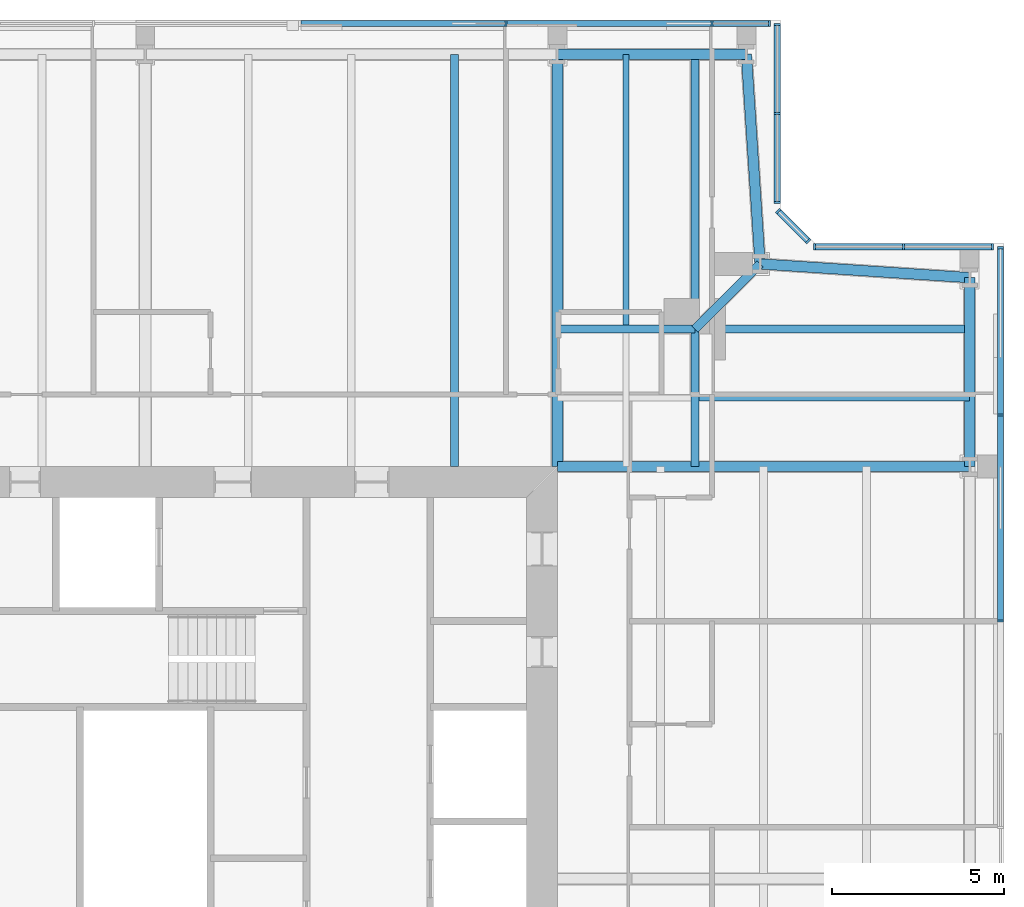
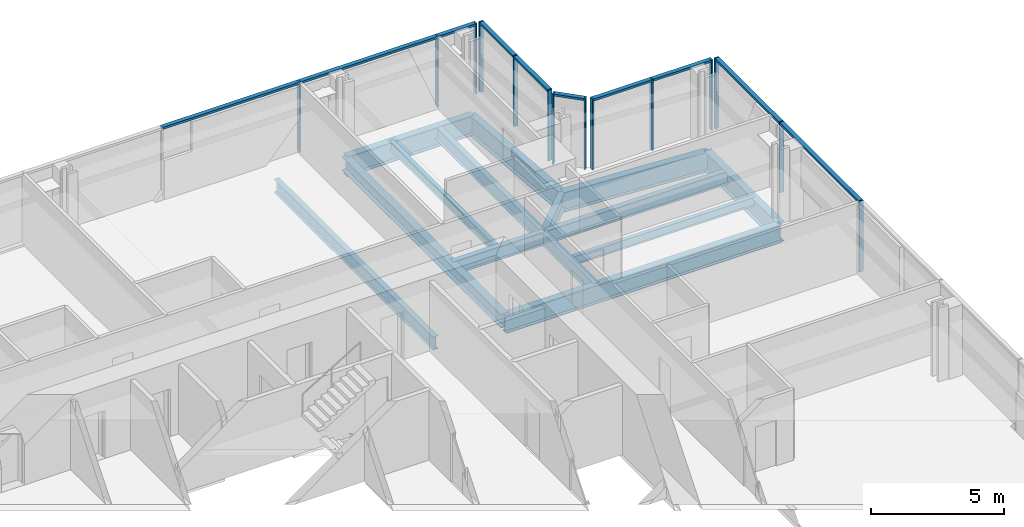
# One storey, part 9 of 18: 24 members, 14 beams, 5 elements without a shape of their own.
"""IFC4 building model written with IfcOpenShell, lengths in metres."""

from ifc_helpers import new_model, si_unit, direction, frame, origin, origin_2d, place, context, subcontext, project, spatial, rectangle, i_section, extrude, material, material_profile, profile_set, type_object, element, aggregate, save


model = new_model("IFC4")

# Units and contexts
model_context = context("Model", 3, precision=1e-05, world=origin(), true_north=direction((0.0, 1.0)))
body_context = subcontext(model_context, "Body", "Model", "MODEL_VIEW")
ifc_project = project(units=[si_unit("LENGTHUNIT", "METRE"), si_unit("AREAUNIT", "SQUARE_METRE"), si_unit("VOLUMEUNIT", "CUBIC_METRE"), si_unit("PLANEANGLEUNIT", "RADIAN"), si_unit("MASSUNIT", "GRAM", prefix="KILO")], contexts=[model_context])

# Site, building, storey
site_placement = place(None, origin())
site = spatial("IfcSite", under=ifc_project, at=site_placement, CompositionType="ELEMENT")
building_placement = place(site_placement, origin())
building = spatial("IfcBuilding", under=site, at=building_placement, Name="Fenwick Lantern Interchange", CompositionType="ELEMENT")
storey_placement = place(building_placement, frame((0.0, 0.0, 262.800048828125)))
storey = spatial("IfcBuildingStorey", under=building, at=storey_placement, Name="L62", CompositionType="ELEMENT", Elevation=262.800048828125)

# Beams
ifc_material_1 = material(Name="Steel ASTM A992 Grade 50", Category="steel")
ifc_material_profile_1 = material_profile(ifc_material_1, i_section(OverallWidth=0.3046875, OverallDepth=0.911865234375, WebThickness=0.015869140625, FlangeThickness=0.02392578125, at=origin_2d()), Name="W36X150")
ifc_profile_set_1 = profile_set([ifc_material_profile_1], Name="Steel ASTM A992 Grade 50")
beam_type_1 = type_object("IfcBeamType", Name="EDGE BEAM W36X150", PredefinedType="SPANDREL", material=ifc_profile_set_1)
beam_1_placement = place(storey_placement, frame((49.0, 37.0, -0.60595703125), z_axis=(0.0, 1.0, 0.0), x_axis=(-1.0, 0.0, 0.0)))
element("IfcBeam", 1, at=beam_1_placement, inside=storey, type_object=beam_type_1, Name="L62/FR/E/EB4", PredefinedType="SPANDREL", context=body_context, shape_type="SweptSolid", body=[
    extrude(i_section(OverallWidth=0.3046875, OverallDepth=0.911865234375, WebThickness=0.015869140625, FlangeThickness=0.02392578125, at=origin_2d()), origin(), (0.0, 0.0, 1.0), 5.5),
])
for number, where, z_axis, x_axis, name in (
    (2, (49.0, 42.5, -0.60595703125), (-0.997858060337, 0.065416293237, 0.0), (-0.065416293237, -0.997858060337, 0.0), "L62/FR/E/EBR1"),
    (3, (42.89990234375, 42.89990234375, -0.60595703125), (-0.065416293237, 0.997858060337, 0.0), (-0.997858060337, -0.065416293237, 0.0), "L62/FR/E/EBR2"),
):
    element("IfcBeam", number, at=place(storey_placement, frame(where, z_axis=z_axis, x_axis=x_axis)), inside=storey, type_object=beam_type_1, Name=name, PredefinedType="SPANDREL", context=body_context, shape_type="SweptSolid", body=[
        extrude(i_section(OverallWidth=0.3046875, OverallDepth=0.911865234375, WebThickness=0.015869140625, FlangeThickness=0.02392578125, at=origin_2d()), origin(), (0.0, 0.0, 1.0), 6.11328125),
    ])
beam_2_placement = place(storey_placement, frame((42.5, 49.0, -0.60595703125), z_axis=(-1.0, 0.0, 0.0), x_axis=(0.0, -1.0, 0.0)))
element("IfcBeam", 4, at=beam_2_placement, inside=storey, type_object=beam_type_1, Name="L62/FR/N/EB1", PredefinedType="SPANDREL", context=body_context, shape_type="SweptSolid", body=[
    extrude(i_section(OverallWidth=0.3046875, OverallDepth=0.911865234375, WebThickness=0.015869140625, FlangeThickness=0.02392578125, at=origin_2d()), origin(), (0.0, 0.0, 1.0), 5.5),
])
ifc_material_profile_2 = material_profile(ifc_material_1, i_section(OverallWidth=0.22900390625, OverallDepth=0.612060546875, WebThickness=0.011962890625, FlangeThickness=0.01953125, at=origin_2d()), Name="W24X84")
ifc_profile_set_2 = profile_set([ifc_material_profile_2], Name="Steel ASTM A992 Grade 50")
beam_type_2 = type_object("IfcBeamType", Name="FLOOR BEAM W24X84", PredefinedType="BEAM", material=ifc_profile_set_2)
beam_3_placement = place(storey_placement, frame((34.0, 49.0, -0.4560546875), z_axis=(0.0, -1.0, 0.0), x_axis=(1.0, 0.0, 0.0)))
element("IfcBeam", 5, at=beam_3_placement, inside=storey, type_object=beam_type_2, Name="L62/FR/N/R02", PredefinedType="BEAM", context=body_context, shape_type="SweptSolid", body=[
    extrude(i_section(OverallWidth=0.22900390625, OverallDepth=0.612060546875, WebThickness=0.011962890625, FlangeThickness=0.01953125, at=origin_2d()), origin(), (0.0, 0.0, 1.0), 12.0),
])

# Curtain wall, members
ifc_material_2 = material(Name="Aluminium curtain wall frame", Category="aluminium")
curtain_wall_type = type_object("IfcCurtainWallType", Name="HOTEL CURTAIN WALL", PredefinedType="USERDEFINED", material=ifc_material_2)
curtain_wall_1_placement = place(storey_placement, origin())
curtain_wall_1 = element("IfcCurtainWall", 6, at=curtain_wall_1_placement, inside=storey, type_object=curtain_wall_type, Name="Hotel curtain wall 05", ObjectType="HOTEL CURTAIN WALL", PredefinedType="USERDEFINED")
ifc_material_3 = material(Name="Aluminium extrusion", Category="aluminium")
ifc_material_profile_3 = material_profile(ifc_material_3, rectangle(XDim=0.179931640625, YDim=0.06005859375, at=origin_2d()), Name="HOTEL CURTAIN WALL MULLION 60 X 180")
ifc_profile_set_3 = profile_set([ifc_material_profile_3], Name="Aluminium extrusion")
member_type_1 = type_object("IfcMemberType", Name="HOTEL CURTAIN WALL MULLION 60 X 180", PredefinedType="MULLION", material=ifc_profile_set_3)
member_1_placement = place(storey_placement, frame((49.89990234375, 32.5, 0.0), z_axis=(0.0, 0.0, 1.0), x_axis=(-1.0, 0.0, 0.0)))
member_1 = element("IfcMember", 7, at=member_1_placement, type_object=member_type_1, Name="L62/CW/05/M05", PredefinedType="MULLION", context=body_context, shape_type="SweptSolid", body=[
    extrude(rectangle(XDim=0.179931640625, YDim=0.06005859375, at=origin_2d()), origin(), (0.0, 0.0, 1.0), 3.25),
])
member_2_placement = place(storey_placement, frame((49.89990234375, 38.5, 0.0), z_axis=(0.0, 0.0, 1.0), x_axis=(-1.0, 0.0, 0.0)))
member_2 = element("IfcMember", 8, at=member_2_placement, type_object=member_type_1, Name="L62/CW/05/M06", PredefinedType="MULLION", context=body_context, shape_type="SweptSolid", body=[
    extrude(rectangle(XDim=0.179931640625, YDim=0.06005859375, at=origin_2d()), origin(), (0.0, 0.0, 1.0), 3.25),
])
member_3_placement = place(storey_placement, frame((49.89990234375, 43.3701171875, 0.0), z_axis=(0.0, 0.0, 1.0), x_axis=(-1.0, 0.0, 0.0)))
member_3 = element("IfcMember", 9, at=member_3_placement, type_object=member_type_1, Name="L62/CW/05/M07", PredefinedType="MULLION", context=body_context, shape_type="SweptSolid", body=[
    extrude(rectangle(XDim=0.179931640625, YDim=0.06005859375, at=origin_2d()), origin(), (0.0, 0.0, 1.0), 3.25),
])

curtain_wall_2_placement = place(storey_placement, origin())
curtain_wall_2 = element("IfcCurtainWall", 10, at=curtain_wall_2_placement, inside=storey, type_object=curtain_wall_type, Name="Hotel curtain wall 06", ObjectType="HOTEL CURTAIN WALL", PredefinedType="USERDEFINED")
member_4_placement = place(storey_placement, frame((49.669921875, 43.39990234375, 0.0), z_axis=(0.0, 0.0, 1.0), x_axis=(0.0, -1.0, 0.0)))
member_4 = element("IfcMember", 11, at=member_4_placement, type_object=member_type_1, Name="L62/CW/06/M00", PredefinedType="MULLION", context=body_context, shape_type="SweptSolid", body=[
    extrude(rectangle(XDim=0.179931640625, YDim=0.06005859375, at=origin_2d()), origin(), (0.0, 0.0, 1.0), 3.25),
])
member_5_placement = place(storey_placement, frame((47.079345703125, 43.39990234375, 0.0), z_axis=(0.0, 0.0, 1.0), x_axis=(0.0, -1.0, 0.0)))
member_5 = element("IfcMember", 12, at=member_5_placement, type_object=member_type_1, Name="L62/CW/06/M01", PredefinedType="MULLION", context=body_context, shape_type="SweptSolid", body=[
    extrude(rectangle(XDim=0.179931640625, YDim=0.06005859375, at=origin_2d()), origin(), (0.0, 0.0, 1.0), 3.25),
])
member_6_placement = place(storey_placement, frame((44.488525390625, 43.39990234375, 0.0), z_axis=(0.0, 0.0, 1.0), x_axis=(0.0, -1.0, 0.0)))
member_6 = element("IfcMember", 13, at=member_6_placement, type_object=member_type_1, Name="L62/CW/06/M02", PredefinedType="MULLION", context=body_context, shape_type="SweptSolid", body=[
    extrude(rectangle(XDim=0.179931640625, YDim=0.06005859375, at=origin_2d()), origin(), (0.0, 0.0, 1.0), 3.25),
])

curtain_wall_3_placement = place(storey_placement, origin())
curtain_wall_3 = element("IfcCurtainWall", 14, at=curtain_wall_3_placement, inside=storey, type_object=curtain_wall_type, Name="Hotel curtain wall 07", ObjectType="HOTEL CURTAIN WALL", PredefinedType="USERDEFINED")
member_7_placement = place(storey_placement, frame((44.2958984375, 43.562744140625, 0.0), z_axis=(0.0, 0.0, 1.0), x_axis=(-0.707106781187, -0.707106781187, 0.0)))
member_7 = element("IfcMember", 15, at=member_7_placement, type_object=member_type_1, Name="L62/CW/07/M00", PredefinedType="MULLION", context=body_context, shape_type="SweptSolid", body=[
    extrude(rectangle(XDim=0.179931640625, YDim=0.06005859375, at=origin_2d()), origin(), (0.0, 0.0, 1.0), 3.25),
])
member_8_placement = place(storey_placement, frame((43.421142578125, 44.437255859375, 0.0), z_axis=(0.0, 0.0, 1.0), x_axis=(-0.707106781187, -0.707106781187, 0.0)))
member_8 = element("IfcMember", 16, at=member_8_placement, type_object=member_type_1, Name="L62/CW/07/M01", PredefinedType="MULLION", context=body_context, shape_type="SweptSolid", body=[
    extrude(rectangle(XDim=0.179931640625, YDim=0.06005859375, at=origin_2d()), origin(), (0.0, 0.0, 1.0), 3.25),
])

curtain_wall_4_placement = place(storey_placement, origin())
curtain_wall_4 = element("IfcCurtainWall", 17, at=curtain_wall_4_placement, inside=storey, type_object=curtain_wall_type, Name="Hotel curtain wall 08", ObjectType="HOTEL CURTAIN WALL", PredefinedType="USERDEFINED")
member_9_placement = place(storey_placement, frame((43.39990234375, 44.6884765625, 0.0), z_axis=(0.0, 0.0, 1.0), x_axis=(-1.0, 0.0, 0.0)))
member_9 = element("IfcMember", 18, at=member_9_placement, type_object=member_type_1, Name="L62/CW/08/M00", PredefinedType="MULLION", context=body_context, shape_type="SweptSolid", body=[
    extrude(rectangle(XDim=0.179931640625, YDim=0.06005859375, at=origin_2d()), origin(), (0.0, 0.0, 1.0), 3.25),
])
member_10_placement = place(storey_placement, frame((43.39990234375, 47.279296875, 0.0), z_axis=(0.0, 0.0, 1.0), x_axis=(-1.0, 0.0, 0.0)))
member_10 = element("IfcMember", 19, at=member_10_placement, type_object=member_type_1, Name="L62/CW/08/M01", PredefinedType="MULLION", context=body_context, shape_type="SweptSolid", body=[
    extrude(rectangle(XDim=0.179931640625, YDim=0.06005859375, at=origin_2d()), origin(), (0.0, 0.0, 1.0), 3.25),
])
member_11_placement = place(storey_placement, frame((43.39990234375, 49.8701171875, 0.0), z_axis=(0.0, 0.0, 1.0), x_axis=(-1.0, 0.0, 0.0)))
member_11 = element("IfcMember", 20, at=member_11_placement, type_object=member_type_1, Name="L62/CW/08/M02", PredefinedType="MULLION", context=body_context, shape_type="SweptSolid", body=[
    extrude(rectangle(XDim=0.179931640625, YDim=0.06005859375, at=origin_2d()), origin(), (0.0, 0.0, 1.0), 3.25),
])

curtain_wall_5_placement = place(storey_placement, origin())
curtain_wall_5 = element("IfcCurtainWall", 21, at=curtain_wall_5_placement, inside=storey, type_object=curtain_wall_type, Name="Hotel curtain wall 09", ObjectType="HOTEL CURTAIN WALL", PredefinedType="USERDEFINED")
member_12_placement = place(storey_placement, frame((43.169921875, 49.89990234375, 0.0), z_axis=(0.0, 0.0, 1.0), x_axis=(0.0, -1.0, 0.0)))
member_12 = element("IfcMember", 22, at=member_12_placement, type_object=member_type_1, Name="L62/CW/09/M00", PredefinedType="MULLION", context=body_context, shape_type="SweptSolid", body=[
    extrude(rectangle(XDim=0.179931640625, YDim=0.06005859375, at=origin_2d()), origin(), (0.0, 0.0, 1.0), 3.25),
])
member_13_placement = place(storey_placement, frame((41.5, 49.89990234375, 0.0), z_axis=(0.0, 0.0, 1.0), x_axis=(0.0, -1.0, 0.0)))
member_13 = element("IfcMember", 23, at=member_13_placement, type_object=member_type_1, Name="L62/CW/09/M01", PredefinedType="MULLION", context=body_context, shape_type="SweptSolid", body=[
    extrude(rectangle(XDim=0.179931640625, YDim=0.06005859375, at=origin_2d()), origin(), (0.0, 0.0, 1.0), 3.25),
])
member_14_placement = place(storey_placement, frame((35.5, 49.89990234375, 0.0), z_axis=(0.0, 0.0, 1.0), x_axis=(0.0, -1.0, 0.0)))
member_14 = element("IfcMember", 24, at=member_14_placement, type_object=member_type_1, Name="L62/CW/09/M02", PredefinedType="MULLION", context=body_context, shape_type="SweptSolid", body=[
    extrude(rectangle(XDim=0.179931640625, YDim=0.06005859375, at=origin_2d()), origin(), (0.0, 0.0, 1.0), 3.25),
])

# Member
ifc_material_profile_4 = material_profile(ifc_material_3, rectangle(XDim=0.179931640625, YDim=0.10009765625, at=origin_2d()), Name="HOTEL CURTAIN WALL TRANSOM 100 X 180")
ifc_profile_set_4 = profile_set([ifc_material_profile_4], Name="Aluminium extrusion")
member_type_2 = type_object("IfcMemberType", Name="HOTEL CURTAIN WALL TRANSOM 100 X 180", PredefinedType="MULLION", material=ifc_profile_set_4)
member_15_placement = place(storey_placement, frame((49.89990234375, 32.530029296875, 3.199951171875), z_axis=(0.0, 1.0, 0.0), x_axis=(-1.0, 0.0, 0.0)))
member_15 = element("IfcMember", 25, at=member_15_placement, type_object=member_type_2, Name="L62/CW/05/T05", PredefinedType="MULLION", context=body_context, shape_type="SweptSolid", body=[
    extrude(rectangle(XDim=0.179931640625, YDim=0.10009765625, at=origin_2d()), origin(), (0.0, 0.0, 1.0), 5.93994140625),
])

member_16_placement = place(storey_placement, frame((49.89990234375, 38.530029296875, 3.199951171875), z_axis=(0.0, 1.0, 0.0), x_axis=(-1.0, 0.0, 0.0)))
member_16 = element("IfcMember", 26, at=member_16_placement, type_object=member_type_2, Name="L62/CW/05/T06", PredefinedType="MULLION", context=body_context, shape_type="SweptSolid", body=[
    extrude(rectangle(XDim=0.179931640625, YDim=0.10009765625, at=origin_2d()), origin(), (0.0, 0.0, 1.0), 4.81005859375),
])

aggregate(curtain_wall_1, [member_1, member_2, member_3, member_15, member_16])

member_17_placement = place(storey_placement, frame((49.639892578125, 43.39990234375, 3.199951171875), z_axis=(-1.0, 0.0, 0.0), x_axis=(0.0, -1.0, 0.0)))
member_17 = element("IfcMember", 27, at=member_17_placement, type_object=member_type_2, Name="L62/CW/06/T00", PredefinedType="MULLION", context=body_context, shape_type="SweptSolid", body=[
    extrude(rectangle(XDim=0.179931640625, YDim=0.10009765625, at=origin_2d()), origin(), (0.0, 0.0, 1.0), 2.530517578125),
])

member_18_placement = place(storey_placement, frame((47.04931640625, 43.39990234375, 3.199951171875), z_axis=(-1.0, 0.0, 0.0), x_axis=(0.0, -1.0, 0.0)))
member_18 = element("IfcMember", 28, at=member_18_placement, type_object=member_type_2, Name="L62/CW/06/T01", PredefinedType="MULLION", context=body_context, shape_type="SweptSolid", body=[
    extrude(rectangle(XDim=0.179931640625, YDim=0.10009765625, at=origin_2d()), origin(), (0.0, 0.0, 1.0), 2.53076171875),
])

aggregate(curtain_wall_2, [member_4, member_5, member_6, member_17, member_18])

member_19_placement = place(storey_placement, frame((44.274658203125, 43.583740234375, 3.199951171875), z_axis=(-0.707003077033, 0.707210470133, 0.0), x_axis=(-0.707210470133, -0.707003077033, 0.0)))
member_19 = element("IfcMember", 29, at=member_19_placement, type_object=member_type_2, Name="L62/CW/07/T00", PredefinedType="MULLION", context=body_context, shape_type="SweptSolid", body=[
    extrude(rectangle(XDim=0.179931640625, YDim=0.10009765625, at=origin_2d()), origin(), (0.0, 0.0, 1.0), 1.17724609375),
])

aggregate(curtain_wall_3, [member_7, member_8, member_19])

member_20_placement = place(storey_placement, frame((43.39990234375, 44.718505859375, 3.199951171875), z_axis=(0.0, 1.0, 0.0), x_axis=(-1.0, 0.0, 0.0)))
member_20 = element("IfcMember", 30, at=member_20_placement, type_object=member_type_2, Name="L62/CW/08/T00", PredefinedType="MULLION", context=body_context, shape_type="SweptSolid", body=[
    extrude(rectangle(XDim=0.179931640625, YDim=0.10009765625, at=origin_2d()), origin(), (0.0, 0.0, 1.0), 2.53076171875),
])

member_21_placement = place(storey_placement, frame((43.39990234375, 47.309326171875, 3.199951171875), z_axis=(0.0, 1.0, 0.0), x_axis=(-1.0, 0.0, 0.0)))
member_21 = element("IfcMember", 31, at=member_21_placement, type_object=member_type_2, Name="L62/CW/08/T01", PredefinedType="MULLION", context=body_context, shape_type="SweptSolid", body=[
    extrude(rectangle(XDim=0.179931640625, YDim=0.10009765625, at=origin_2d()), origin(), (0.0, 0.0, 1.0), 2.53076171875),
])

aggregate(curtain_wall_4, [member_9, member_10, member_11, member_20, member_21])

member_22_placement = place(storey_placement, frame((43.139892578125, 49.89990234375, 3.199951171875), z_axis=(-1.0, 0.0, 0.0), x_axis=(0.0, -1.0, 0.0)))
member_22 = element("IfcMember", 32, at=member_22_placement, type_object=member_type_2, Name="L62/CW/09/T00", PredefinedType="MULLION", context=body_context, shape_type="SweptSolid", body=[
    extrude(rectangle(XDim=0.179931640625, YDim=0.10009765625, at=origin_2d()), origin(), (0.0, 0.0, 1.0), 1.60986328125),
])

member_23_placement = place(storey_placement, frame((41.469970703125, 49.89990234375, 3.199951171875), z_axis=(-1.0, 0.0, 0.0), x_axis=(0.0, -1.0, 0.0)))
member_23 = element("IfcMember", 33, at=member_23_placement, type_object=member_type_2, Name="L62/CW/09/T01", PredefinedType="MULLION", context=body_context, shape_type="SweptSolid", body=[
    extrude(rectangle(XDim=0.179931640625, YDim=0.10009765625, at=origin_2d()), origin(), (0.0, 0.0, 1.0), 5.93994140625),
])

member_24_placement = place(storey_placement, frame((35.469970703125, 49.89990234375, 3.199951171875), z_axis=(-1.0, 0.0, 0.0), x_axis=(0.0, -1.0, 0.0)))
member_24 = element("IfcMember", 34, at=member_24_placement, type_object=member_type_2, Name="L62/CW/09/T02", PredefinedType="MULLION", context=body_context, shape_type="SweptSolid", body=[
    extrude(rectangle(XDim=0.179931640625, YDim=0.10009765625, at=origin_2d()), origin(), (0.0, 0.0, 1.0), 5.93994140625),
])

aggregate(curtain_wall_5, [member_12, member_13, member_14, member_22, member_23, member_24])

# Beams
ifc_material_profile_5 = material_profile(ifc_material_1, i_section(OverallWidth=0.177734375, OverallDepth=0.406494140625, WebThickness=0.0078125, FlangeThickness=0.012939453125, at=origin_2d()), Name="W16X40")
ifc_profile_set_5 = profile_set([ifc_material_profile_5], Name="Steel ASTM A992 Grade 50")
beam_type_3 = type_object("IfcBeamType", Name="INFILL BEAM W16X40", PredefinedType="JOIST", material=ifc_profile_set_5)
for number, where, z_axis, x_axis, name in (
    (35, (39.0, 49.0, -0.353271484375), (0.0, -1.0, 0.0), (1.0, 0.0, 0.0), "L62/FR/N/J1"),
    (36, (49.0, 39.0, -0.353271484375), (-1.0, 0.0, 0.0), (0.0, -1.0, 0.0), "L62/FR/N/J3"),
):
    element("IfcBeam", number, at=place(storey_placement, frame(where, z_axis=z_axis, x_axis=x_axis)), inside=storey, type_object=beam_type_3, Name=name, PredefinedType="JOIST", context=body_context, shape_type="SweptSolid", body=[
        extrude(i_section(OverallWidth=0.177734375, OverallDepth=0.406494140625, WebThickness=0.0078125, FlangeThickness=0.012939453125, at=origin_2d()), origin(), (0.0, 0.0, 1.0), 7.885498046875),
    ])
ifc_material_profile_6 = material_profile(ifc_material_1, i_section(OverallWidth=0.22900390625, OverallDepth=0.612060546875, WebThickness=0.011962890625, FlangeThickness=0.01953125, at=origin_2d()), Name="W24X84")
ifc_profile_set_6 = profile_set([ifc_material_profile_6], Name="Steel ASTM A992 Grade 50")
beam_type_4 = type_object("IfcBeamType", Name="MEGA COLUMN BEAM W24X84", PredefinedType="BEAM", material=ifc_profile_set_6)
for number, where, z_axis, x_axis, name in (
    (37, (41.0, 41.0, -0.4560546875), (0.0, 1.0, 0.0), (-1.0, 0.0, 0.0), "L62/FR/N/MB1"),
    (38, (41.0, 41.0, -0.4560546875), (1.0, 0.0, 0.0), (0.0, 1.0, 0.0), "L62/FR/N/MB2"),
):
    element("IfcBeam", number, at=place(storey_placement, frame(where, z_axis=z_axis, x_axis=x_axis)), inside=storey, type_object=beam_type_4, Name=name, PredefinedType="BEAM", context=body_context, shape_type="SweptSolid", body=[
        extrude(i_section(OverallWidth=0.22900390625, OverallDepth=0.612060546875, WebThickness=0.011962890625, FlangeThickness=0.01953125, at=origin_2d()), origin(), (0.0, 0.0, 1.0), 8.0),
    ])
for number, where, z_axis, x_axis, name in (
    (39, (41.0, 41.0, -0.4560546875), (-1.0, 0.0, 0.0), (0.0, -1.0, 0.0), "L62/FR/N/MB3"),
    (40, (41.0, 41.0, -0.4560546875), (0.0, -1.0, 0.0), (1.0, 0.0, 0.0), "L62/FR/N/MB4"),
):
    element("IfcBeam", number, at=place(storey_placement, frame(where, z_axis=z_axis, x_axis=x_axis)), inside=storey, type_object=beam_type_4, Name=name, PredefinedType="BEAM", context=body_context, shape_type="SweptSolid", body=[
        extrude(i_section(OverallWidth=0.22900390625, OverallDepth=0.612060546875, WebThickness=0.011962890625, FlangeThickness=0.01953125, at=origin_2d()), origin(), (0.0, 0.0, 1.0), 4.0),
    ])
ifc_material_profile_7 = material_profile(ifc_material_1, i_section(OverallWidth=0.32763671875, OverallDepth=0.622314453125, WebThickness=0.015380859375, FlangeThickness=0.0244140625, at=origin_2d()), Name="W24X131")
ifc_profile_set_7 = profile_set([ifc_material_profile_7], Name="Steel ASTM A992 Grade 50")
beam_type_5 = type_object("IfcBeamType", Name="MOMENT-CONNECTED GIRDER W24X131", PredefinedType="BEAM", material=ifc_profile_set_7)
beam_4_placement = place(storey_placement, frame((37.0, 49.0, -0.461181640625), z_axis=(0.0, -1.0, 0.0), x_axis=(1.0, 0.0, 0.0)))
element("IfcBeam", 41, at=beam_4_placement, inside=storey, type_object=beam_type_5, Name="L62/FR/N/R01", PredefinedType="BEAM", context=body_context, shape_type="SweptSolid", body=[
    extrude(i_section(OverallWidth=0.32763671875, OverallDepth=0.622314453125, WebThickness=0.015380859375, FlangeThickness=0.0244140625, at=origin_2d()), origin(), (0.0, 0.0, 1.0), 12.0),
])
ifc_material_profile_8 = material_profile(ifc_material_1, i_section(OverallWidth=0.2919921875, OverallDepth=0.845703125, WebThickness=0.015380859375, FlangeThickness=0.0244140625, at=origin_2d()), Name="W33X141")
ifc_profile_set_8 = profile_set([ifc_material_profile_8], Name="Steel ASTM A992 Grade 50")
beam_type_6 = type_object("IfcBeamType", Name="MOMENT-CONNECTED GIRDER W33X141", PredefinedType="BEAM", material=ifc_profile_set_8)
beam_5_placement = place(storey_placement, frame((49.0, 37.0, -0.572998046875), z_axis=(-1.0, 0.0, 0.0), x_axis=(0.0, -1.0, 0.0)))
element("IfcBeam", 42, at=beam_5_placement, inside=storey, type_object=beam_type_6, Name="L62/FR/E/R03", PredefinedType="BEAM", context=body_context, shape_type="SweptSolid", body=[
    extrude(i_section(OverallWidth=0.2919921875, OverallDepth=0.845703125, WebThickness=0.015380859375, FlangeThickness=0.0244140625, at=origin_2d()), origin(), (0.0, 0.0, 1.0), 12.0),
])
ifc_material_profile_9 = material_profile(ifc_material_1, i_section(OverallWidth=0.2666015625, OverallDepth=0.7568359375, WebThickness=0.013916015625, FlangeThickness=0.019287109375, at=origin_2d()), Name="W30X108")
ifc_profile_set_9 = profile_set([ifc_material_profile_9], Name="Steel ASTM A992 Grade 50")
beam_type_7 = type_object("IfcBeamType", Name="NOTCH BEAM W30X108", PredefinedType="BEAM", material=ifc_profile_set_9)
beam_6_placement = place(storey_placement, frame((41.0, 41.0, -0.528564453125), z_axis=(0.707106781187, 0.707106781187, 0.0), x_axis=(-0.707106781187, 0.707106781187, 0.0)))
element("IfcBeam", 43, at=beam_6_placement, inside=storey, type_object=beam_type_7, Name="L62/FR/N/TG", PredefinedType="BEAM", context=body_context, shape_type="SweptSolid", body=[
    extrude(i_section(OverallWidth=0.2666015625, OverallDepth=0.7568359375, WebThickness=0.013916015625, FlangeThickness=0.019287109375, at=origin_2d()), origin(), (0.0, 0.0, 1.0), 2.686767578125),
])

save(model, "model.ifc")
